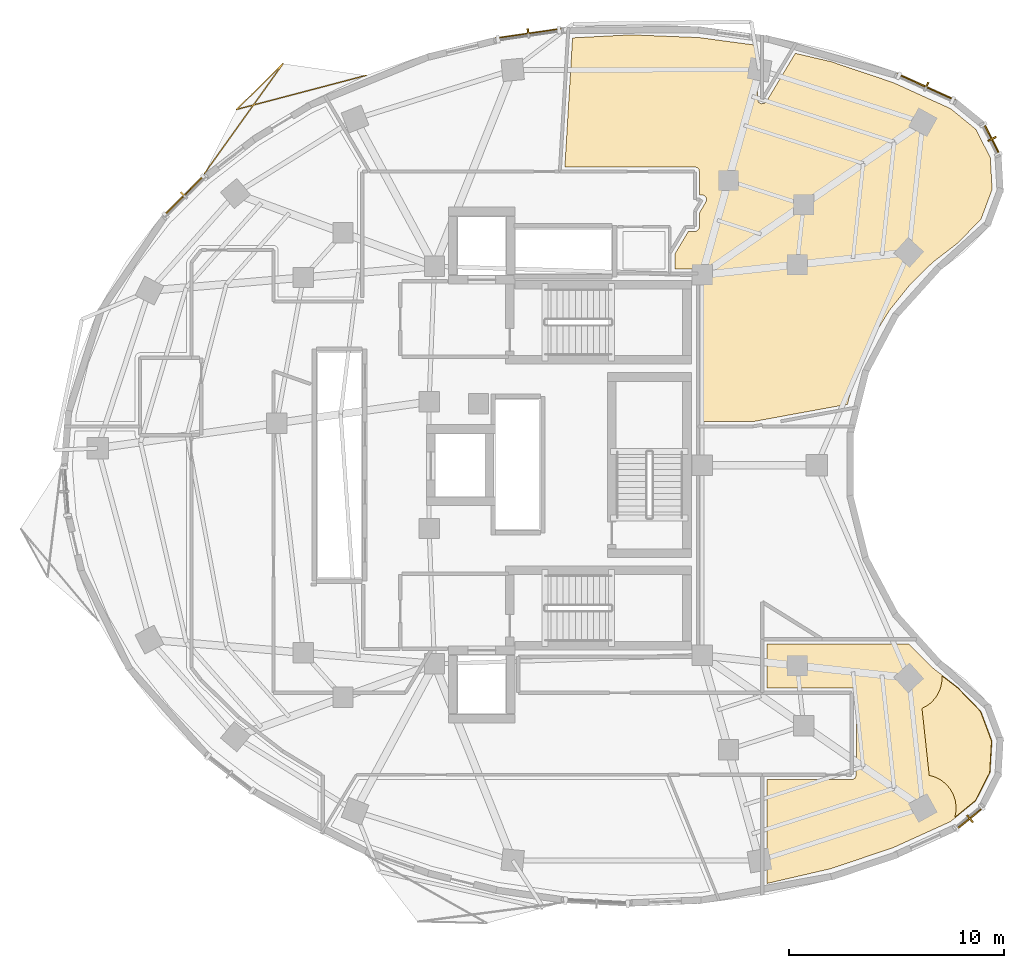
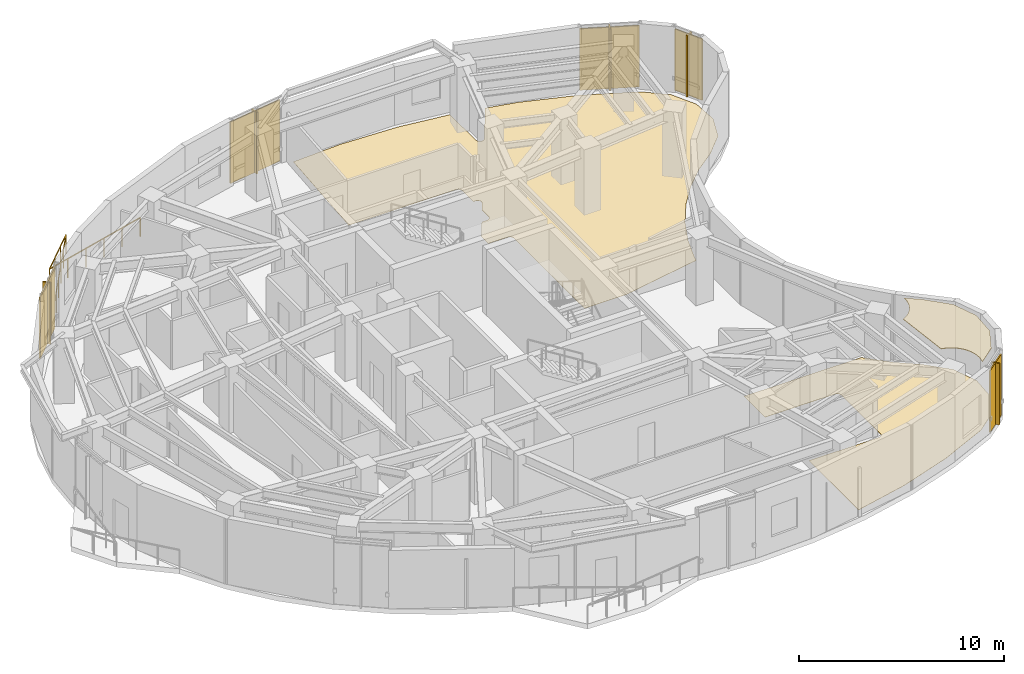
# One storey, part 13 of 13: 10 shading devices, 3 coverings, 1 railing.
"""IFC4 building model written with IfcOpenShell, lengths in metres."""

from ifc_helpers import new_model, si_unit, direction, frame, origin, origin_2d, place, context, subcontext, project, spatial, polyline, rectangle, outline, extrude, material, layer, layer_set, type_object, element, save


model = new_model("IFC4")

# Units and contexts
model_context = context("Model", 3, precision=1e-05, world=origin(), true_north=direction((0.0, 1.0)))
body_context = subcontext(model_context, "Body", "Model", "MODEL_VIEW")
ifc_project = project(units=[si_unit("LENGTHUNIT", "METRE"), si_unit("AREAUNIT", "SQUARE_METRE"), si_unit("VOLUMEUNIT", "CUBIC_METRE"), si_unit("PLANEANGLEUNIT", "RADIAN"), si_unit("MASSUNIT", "GRAM", prefix="KILO")], contexts=[model_context])

# Site, building, storey
site_placement = place(None, origin())
site = spatial("IfcSite", under=ifc_project, at=site_placement, CompositionType="ELEMENT")
building_placement = place(site_placement, origin())
building = spatial("IfcBuilding", under=site, at=building_placement, Name="Korentha Bioscience Tower", CompositionType="ELEMENT")
storey_placement = place(building_placement, frame((0.0, 0.0, 192.0)))
storey = spatial("IfcBuildingStorey", under=building, at=storey_placement, Name="L44", CompositionType="ELEMENT", Elevation=192.0)

# Railing
ifc_material_1 = material(Name="Laminated Tempered Safety Glass", Category="glass")
railing_type = type_object("IfcRailingType", Name="Laminated Glass Balcony Guardrail 1150", PredefinedType="BALUSTRADE", material=ifc_material_1)
railing_placement = place(storey_placement, frame((21.907470703125, 45.128662109375, 0.0)))
element("IfcRailing", 1, at=railing_placement, inside=storey, type_object=railing_type, Name="L44 Balcony Guardrail 01", PredefinedType="BALUSTRADE", context=body_context, shape_type="SweptSolid", body=[
    extrude(rectangle(XDim=0.048095703125, YDim=0.048095703125, at=origin_2d()), frame((0.0, 0.0, 1.1259765625), z_axis=(-0.967203698671, -0.254001978882, 0.0), x_axis=(0.254001978882, -0.967203698671, 0.0)), (0.0, 0.0, 1.0), 6.213134765625),
    extrude(rectangle(XDim=0.048095703125, YDim=0.048095703125, at=origin_2d()), frame((-6.00927734375, -1.578125, 1.1259765625), z_axis=(0.711366586149, 0.702821157984, 0.0), x_axis=(-0.702821157984, 0.711366586149, 0.0)), (0.0, 0.0, 1.0), 3.0283203125),
    extrude(rectangle(XDim=0.048095703125, YDim=0.048095703125, at=origin_2d()), frame((-3.85498046875, 0.55029296875, 1.1259765625), z_axis=(-0.581843464557, -0.813300794757, 0.0), x_axis=(0.813300794757, -0.581843464557, 0.0)), (0.0, 0.0, 1.0), 6.2939453125),
    extrude(rectangle(XDim=0.0419921875, YDim=0.0419921875, at=origin_2d()), origin(), (0.0, 0.0, 1.0), 1.101806640625),
    extrude(rectangle(XDim=0.0419921875, YDim=0.0419921875, at=origin_2d()), frame((-1.201904296875, -0.315673828125, 0.0)), (0.0, 0.0, 1.0), 1.101806640625),
    extrude(rectangle(XDim=0.0419921875, YDim=0.0419921875, at=origin_2d()), frame((-2.40380859375, -0.63134765625, 0.0)), (0.0, 0.0, 1.0), 1.101806640625),
    extrude(rectangle(XDim=0.0419921875, YDim=0.0419921875, at=origin_2d()), frame((-3.60546875, -0.94677734375, 0.0)), (0.0, 0.0, 1.0), 1.101806640625),
    extrude(rectangle(XDim=0.0419921875, YDim=0.0419921875, at=origin_2d()), frame((-4.807373046875, -1.262451171875, 0.0)), (0.0, 0.0, 1.0), 1.101806640625),
    extrude(rectangle(XDim=0.0419921875, YDim=0.0419921875, at=origin_2d()), frame((-6.00927734375, -1.578125, 0.0)), (0.0, 0.0, 1.0), 1.101806640625),
    extrude(rectangle(XDim=0.0419921875, YDim=0.0419921875, at=origin_2d()), frame((-5.291259765625, -0.86865234375, 0.0)), (0.0, 0.0, 1.0), 1.101806640625),
    extrude(rectangle(XDim=0.0419921875, YDim=0.0419921875, at=origin_2d()), frame((-4.572998046875, -0.1591796875, 0.0)), (0.0, 0.0, 1.0), 1.101806640625),
    extrude(rectangle(XDim=0.0419921875, YDim=0.0419921875, at=origin_2d()), frame((-3.85498046875, 0.55029296875, 0.0)), (0.0, 0.0, 1.0), 1.101806640625),
    extrude(rectangle(XDim=0.0419921875, YDim=0.0419921875, at=origin_2d()), frame((-4.58740234375, -0.473388671875, 0.0)), (0.0, 0.0, 1.0), 1.101806640625),
    extrude(rectangle(XDim=0.0419921875, YDim=0.0419921875, at=origin_2d()), frame((-5.31982421875, -1.497314453125, 0.0)), (0.0, 0.0, 1.0), 1.101806640625),
    extrude(rectangle(XDim=0.0419921875, YDim=0.0419921875, at=origin_2d()), frame((-6.05224609375, -2.52099609375, 0.0)), (0.0, 0.0, 1.0), 1.101806640625),
    extrude(rectangle(XDim=0.0419921875, YDim=0.0419921875, at=origin_2d()), frame((-6.78466796875, -3.544921875, 0.0)), (0.0, 0.0, 1.0), 1.101806640625),
    extrude(rectangle(XDim=0.0419921875, YDim=0.0419921875, at=origin_2d()), frame((-7.51708984375, -4.568603515625, 0.0)), (0.0, 0.0, 1.0), 1.101806640625),
])

# Covering
ifc_material_2 = material(Name="Antimicrobial Mineral Fibre Board", Category="gypsum")
ifc_layer_1 = layer(ifc_material_2, 0.034912109375, Name="Antimicrobial Mineral Fibre Board")
ifc_layer_set_1 = layer_set([ifc_layer_1], Name="Antimicrobial Mineral Fibre Board (CL-MF35)")
covering_type_1 = type_object("IfcCoveringType", Name="Mineral-Fibre Cleanroom Suspended Ceiling 35", PredefinedType="CEILING", material=ifc_layer_set_1)
covering_1_placement = place(storey_placement, frame((0.0, 0.0, 3.864990234375)))
element("IfcCovering", 2, at=covering_1_placement, inside=storey, type_object=covering_type_1, Name="L44 Researchers' Wellness Quiet Room 05 Acoustic Ceiling", PredefinedType="CEILING", context=body_context, shape_type="SweptSolid", body=[
    extrude(outline(polyline([(49.43212890625, 16.640380859375), (50.50390625, 15.535888671875), (51.01513671875, 14.1630859375), (50.930908203125, 12.700439453125), (50.265380859375, 11.395263671875), (49.30810546875, 10.612548828125), (49.363525390625, 10.8955078125), (49.37109375, 11.04736328125), (49.34130859375, 11.349853515625), (49.2529296875, 11.640625), (49.10986328125, 11.908447265625), (48.9169921875, 12.143310546875), (48.68212890625, 12.336181640625), (48.414306640625, 12.4794921875), (48.118408203125, 12.568359375), (47.78271484375, 15.680419921875), (48.02880859375, 15.813232421875), (48.15087890625, 15.90380859375), (48.263671875, 16.006103515625), (48.456298828125, 16.240966796875), (48.599609375, 16.5087890625), (48.65087890625, 16.652099609375), (48.710205078125, 16.9501953125), (48.713134765625, 17.19189453125), (49.43212890625, 16.640380859375)])), origin(), (0.0, 0.0, 1.0), 0.034912109375),
])

# Shading devices
ifc_material_3 = material(Name="Perforated Stone-Ceramic Composite", Category="masonry")
ifc_layer_2 = layer(ifc_material_3, 0.06494140625, Name="Perforated Stone-Ceramic Composite")
ifc_layer_set_2 = layer_set([ifc_layer_2], Name="Perforated Stone-Ceramic Composite (CS-01)")
shading_device_type_1 = type_object("IfcShadingDeviceType", Name="Perforated Stone-Ceramic Solar Screen Panel 65", PredefinedType="USERDEFINED", material=ifc_layer_set_2)
shading_device_1_placement = place(storey_placement, frame((47.978271484375, 44.59423828125, 0.0), z_axis=(0.0, 0.0, 1.0), x_axis=(-0.910644398392, 0.413190972406, 0.0)))
element("IfcShadingDevice", 3, at=shading_device_1_placement, inside=storey, type_object=shading_device_type_1, Name="CW-L44-01 Perforated Stone-Ceramic Solar Screen", ObjectType="SCREEN", PredefinedType="USERDEFINED", context=body_context, shape_type="SweptSolid", body=[
    extrude(rectangle(XDim=2.935302734375, YDim=0.06494140625, at=origin_2d()), origin(), (0.0, 0.0, 1.0), 3.64990234375),
])
shading_device_2_placement = place(storey_placement, frame((29.470703125, 47.073974609375, 0.0), z_axis=(0.0, 0.0, 1.0), x_axis=(-0.989461919888, -0.144793332342, 0.0)))
element("IfcShadingDevice", 4, at=shading_device_2_placement, inside=storey, type_object=shading_device_type_1, Name="CW-L44-07 Perforated Stone-Ceramic Solar Screen", ObjectType="SCREEN", PredefinedType="USERDEFINED", context=body_context, shape_type="SweptSolid", body=[
    extrude(rectangle(XDim=3.086669921875, YDim=0.06494140625, at=origin_2d()), origin(), (0.0, 0.0, 1.0), 3.64990234375),
])
shading_device_3_placement = place(storey_placement, frame((13.447021484375, 39.5439453125, 0.0), z_axis=(0.0, 0.0, 1.0), x_axis=(-0.711460557971, -0.702726030862, 0.0)))
element("IfcShadingDevice", 5, at=shading_device_3_placement, inside=storey, type_object=shading_device_type_1, Name="CW-L44-13 Perforated Stone-Ceramic Solar Screen", ObjectType="SCREEN", PredefinedType="USERDEFINED", context=body_context, shape_type="SweptSolid", body=[
    extrude(rectangle(XDim=2.6708984375, YDim=0.06494140625, at=origin_2d()), origin(), (0.0, 0.0, 1.0), 3.64990234375),
])
for number, where, z_axis, x_axis, name in (
    (6, (50.002197265625, 10.56005859375, 0.0), (0.0, 0.0, 1.0), (0.77425646139, 0.632871971251, 0.0), "CW-L44-37 Perforated Stone-Ceramic Solar Screen"),
    (7, (51.02587890625, 42.170166015625, 0.0), (0.0, 0.0, 1.0), (-0.45428845847, 0.890854643868, 0.0), "CW-L44-61 Perforated Stone-Ceramic Solar Screen"),
):
    element("IfcShadingDevice", number, at=place(storey_placement, frame(where, z_axis=z_axis, x_axis=x_axis)), inside=storey, type_object=shading_device_type_1, Name=name, ObjectType="SCREEN", PredefinedType="USERDEFINED", context=body_context, shape_type="SweptSolid", body=[
        extrude(rectangle(XDim=1.591796875, YDim=0.06494140625, at=origin_2d()), origin(), (0.0, 0.0, 1.0), 3.64990234375),
    ])

# Coverings
ifc_material_4 = material(Name="Chemical-Resistant Epoxy Resin", Category="polymer")
ifc_layer_3 = layer(ifc_material_4, 0.011962890625, Name="Chemical-Resistant Epoxy Resin")
ifc_layer_set_3 = layer_set([ifc_layer_3], Name="Chemical-Resistant Epoxy Resin (FL-EPX)")
covering_type_2 = type_object("IfcCoveringType", Name="Seamless Epoxy Laboratory Flooring 12", PredefinedType="FLOORING", material=ifc_layer_set_3)
covering_2_placement = place(storey_placement, origin())
element("IfcCovering", 8, at=covering_2_placement, inside=storey, type_object=covering_type_2, Name="L44 Researchers' Wellness Quiet Room 05 Floor Finish", PredefinedType="FLOORING", context=body_context, shape_type="SweptSolid", body=[
    extrude(outline(polyline([(40.572021484375, 18.677978515625), (47.159912109375, 18.677978515625), (48.281494140625, 17.564208984375), (49.4521484375, 16.662841796875), (50.52978515625, 15.55224609375), (51.04541015625, 14.16748046875), (50.96044921875, 12.6923828125), (50.289306640625, 11.376220703125), (49.114013671875, 10.415283203125), (46.433837890625, 9.19921875), (43.5419921875, 8.224853515625), (40.577880859375, 7.537841796875), (40.577880859375, 12.3701171875), (44.5107421875, 12.370361328125), (44.577880859375, 12.383544921875), (44.654052734375, 12.42919921875), (44.72314453125, 12.544677734375), (44.72998046875, 16.39990234375), (44.7080078125, 16.497802734375), (44.65478515625, 16.570068359375), (44.577880859375, 16.616455078125), (44.5, 16.6298828125), (40.572021484375, 16.6298828125), (40.572021484375, 18.677978515625)])), origin(), (0.0, 0.0, 1.0), 0.011962890625),
])
covering_3_placement = place(storey_placement, origin())
element("IfcCovering", 9, at=covering_3_placement, inside=storey, type_object=covering_type_2, Name="L44 BSL-2 Cell Culture Cleanroom Laboratory 07 Floor Finish", PredefinedType="FLOORING", context=body_context, shape_type="SweptSolid", body=[
    extrude(outline(polyline([(34.24365234375, 47.02099609375), (37.401611328125, 46.893798828125), (40.1279296875, 46.5283203125), (40.12841796875, 44.020751953125), (40.173828125, 43.896484375), (40.221923828125, 43.849853515625), (40.302734375, 43.813720703125), (40.434814453125, 43.823974609375), (40.537841796875, 43.906982421875), (41.890380859375, 46.15771484375), (43.5419921875, 45.775146484375), (46.43359375, 44.801025390625), (49.11376953125, 43.5849609375), (50.289306640625, 42.6240234375), (50.96044921875, 41.307861328125), (51.04541015625, 39.83251953125), (50.52978515625, 38.447998046875), (49.452392578125, 37.33740234375), (48.28173828125, 36.435791015625), (47.224853515625, 35.39794921875), (46.265380859375, 34.197021484375), (45.462890625, 32.89208984375), (44.831787109375, 31.513427734375), (44.368408203125, 30.055419921875), (44.323486328125, 29.83251953125), (39.90771484375, 29.02197265625), (37.580078125, 29.02197265625), (37.577392578125, 35.93408203125), (37.5576171875, 35.998779296875), (37.5048828125, 36.070068359375), (37.38427734375, 36.12744140625), (36.280029296875, 36.1298828125), (36.280029296875, 36.8203125), (36.91064453125, 37.8701171875), (37.25537109375, 37.876708984375), (37.33740234375, 37.91552734375), (37.3974609375, 37.982177734375), (37.4296875, 38.089111328125), (37.429931640625, 38.734130859375), (37.7568359375, 39.30224609375), (37.746337890625, 39.428955078125), (37.68505859375, 39.5166015625), (37.590576171875, 39.565673828125), (37.429931640625, 39.572021484375), (37.4296875, 40.660888671875), (37.3974609375, 40.767822265625), (37.31787109375, 40.847412109375), (37.199951171875, 40.8798828125), (31.16748046875, 40.8798828125), (31.523681640625, 46.878662109375), (34.24365234375, 47.02099609375)])), origin(), (0.0, 0.0, 1.0), 0.011962890625),
])

# Shading devices
ifc_material_5 = material(Name="Honed Travertine Limestone", Category="masonry")
ifc_layer_4 = layer(ifc_material_5, 0.080078125, Name="Honed Travertine Limestone")
ifc_layer_set_4 = layer_set([ifc_layer_4], Name="Honed Travertine Limestone (CS-02)")
shading_device_type_2 = type_object("IfcShadingDeviceType", Name="Vertical Honed Limestone Sunshade Fin 80x420", PredefinedType="USERDEFINED", material=ifc_layer_set_4)
for number, where, z_axis, x_axis, name in (
    (10, (47.986572265625, 44.612548828125, 0.0), (0.0, 0.0, 1.0), (-0.910644398392, 0.413190972406, 0.0), "CW-L44-01 Limestone Sunshade Fin"),
    (11, (29.4677734375, 47.09375, 0.0), (0.0, 0.0, 1.0), (-0.989461919888, -0.144793332342, 0.0), "CW-L44-07 Limestone Sunshade Fin"),
    (12, (13.43310546875, 39.55810546875, 0.0), (0.0, 0.0, 1.0), (-0.711460557971, -0.702726030862, 0.0), "CW-L44-13 Limestone Sunshade Fin"),
    (13, (50.0146484375, 10.54443359375, 0.0), (0.0, 0.0, 1.0), (0.77425646139, 0.632871971251, 0.0), "CW-L44-37 Limestone Sunshade Fin"),
    (14, (51.043701171875, 42.17919921875, 0.0), (0.0, 0.0, 1.0), (-0.45428845847, 0.890854643868, 0.0), "CW-L44-61 Limestone Sunshade Fin"),
):
    element("IfcShadingDevice", number, at=place(storey_placement, frame(where, z_axis=z_axis, x_axis=x_axis)), inside=storey, type_object=shading_device_type_2, Name=name, ObjectType="SCREEN", PredefinedType="USERDEFINED", context=body_context, shape_type="SweptSolid", body=[
        extrude(rectangle(XDim=0.080078125, YDim=0.419921875, at=origin_2d()), origin(), (0.0, 0.0, 1.0), 3.64990234375),
    ])

save(model, "model.ifc")
